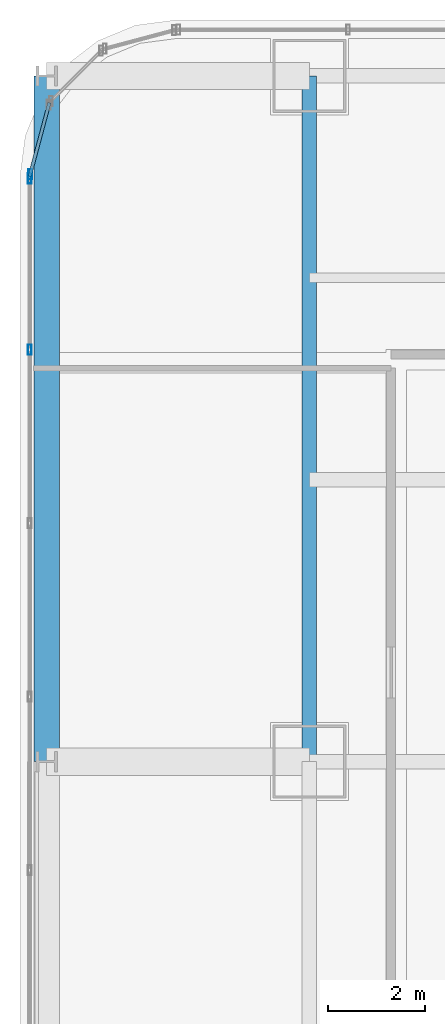
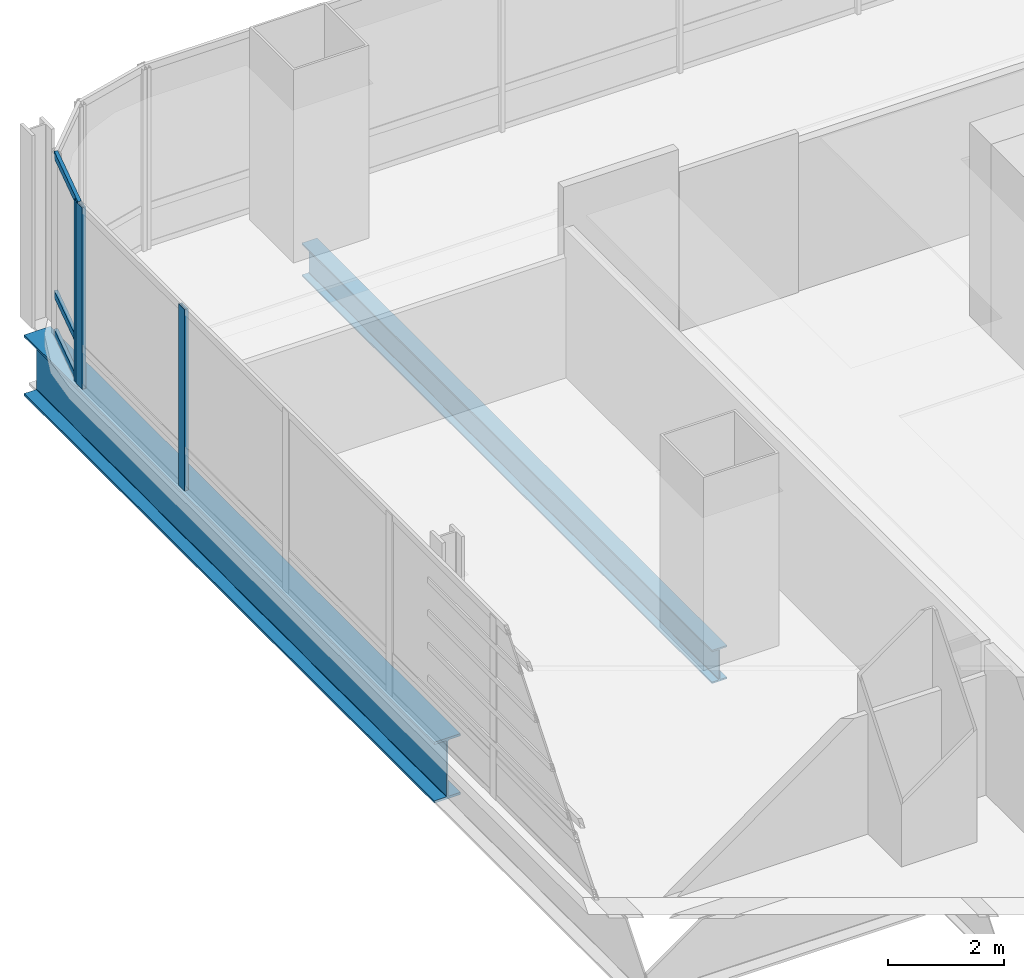
# One storey, part 18 of 36: 6 members, 2 beams, 2 elements without a shape of their own.
"""IFC4 building model written with IfcOpenShell, lengths in metres."""

from ifc_helpers import new_model, si_unit, direction, frame, origin, origin_2d, place, context, subcontext, project, spatial, hollow_rectangle, i_section, extrude, material, material_profile, profile_set, type_object, element, aggregate, save


model = new_model("IFC4")

# Units and contexts
model_context = context("Model", 3, precision=1e-05, world=origin(), true_north=direction((0.0, 1.0)))
body_context = subcontext(model_context, "Body", "Model", "MODEL_VIEW")
ifc_project = project(units=[si_unit("LENGTHUNIT", "METRE"), si_unit("AREAUNIT", "SQUARE_METRE"), si_unit("VOLUMEUNIT", "CUBIC_METRE"), si_unit("PLANEANGLEUNIT", "RADIAN"), si_unit("MASSUNIT", "GRAM", prefix="KILO")], contexts=[model_context])

# Site, building, storey
site_placement = place(None, origin())
site = spatial("IfcSite", under=ifc_project, at=site_placement, CompositionType="ELEMENT")
building_placement = place(site_placement, origin())
building = spatial("IfcBuilding", under=site, at=building_placement, Name="Punatoya Terracotta Tower", CompositionType="ELEMENT")
storey_placement = place(building_placement, frame((0.0, 0.0, 32.25)))
storey = spatial("IfcBuildingStorey", under=building, at=storey_placement, Name="L06", CompositionType="ELEMENT", Elevation=32.25)

# Beams
ifc_material_1 = material(Name="Steel S355", Category="steel")
ifc_material_profile_1 = material_profile(ifc_material_1, i_section(OverallWidth=0.300048828125, OverallDepth=0.699951171875, WebThickness=0.01708984375, FlangeThickness=0.031982421875, FilletRadius=0.01806640625, at=origin_2d()))
ifc_profile_set_1 = profile_set([ifc_material_profile_1], Name="Steel S355")
beam_type_1 = type_object("IfcBeamType", Name="BM-PRI-700", PredefinedType="BEAM", material=ifc_profile_set_1)
beam_1_placement = place(storey_placement, frame((-19.10009765625, 3.39990234375, -0.590087890625), z_axis=(0.0, 1.0, 0.0), x_axis=(-1.0, 0.0, 0.0)))
element("IfcBeam", 1, at=beam_1_placement, inside=storey, type_object=beam_type_1, Name="BM-L06-RG-W3", PredefinedType="BEAM", context=body_context, shape_type="SweptSolid", body=[
    extrude(i_section(OverallWidth=0.300048828125, OverallDepth=0.699951171875, WebThickness=0.01708984375, FlangeThickness=0.031982421875, FilletRadius=0.01806640625, at=origin_2d()), origin(), (0.0, 0.0, 1.0), 14.10009765625),
])
ifc_material_2 = material(Name="Steel S460", Category="steel")
ifc_material_profile_2 = material_profile(ifc_material_2, i_section(OverallWidth=0.52001953125, OverallDepth=1.280029296875, WebThickness=0.031982421875, FlangeThickness=0.050048828125, FilletRadius=0.01806640625, at=origin_2d()))
ifc_profile_set_2 = profile_set([ifc_material_profile_2], Name="Steel S460")
beam_type_2 = type_object("IfcBeamType", Name="BM-TG-NCK", PredefinedType="BEAM", material=ifc_profile_set_2)
beam_2_placement = place(storey_placement, frame((-24.5, 3.39990234375, -0.8798828125), z_axis=(0.0, 1.0, 0.0), x_axis=(-1.0, 0.0, 0.0)))
element("IfcBeam", 2, at=beam_2_placement, inside=storey, type_object=beam_type_2, Name="BM-L06-PER-W3", PredefinedType="BEAM", context=body_context, shape_type="SweptSolid", body=[
    extrude(i_section(OverallWidth=0.52001953125, OverallDepth=1.280029296875, WebThickness=0.031982421875, FlangeThickness=0.050048828125, FilletRadius=0.01806640625, at=origin_2d()), origin(), (0.0, 0.0, 1.0), 14.10009765625),
])

# Curtain wall, member
ifc_material_3 = material(Name="Aluminium 6063-T6 + Double Low-E Glass", Category="aluminium")
curtain_wall_type = type_object("IfcCurtainWallType", Name="CW-M1", PredefinedType="NOTDEFINED", material=ifc_material_3)
curtain_wall_1_placement = place(storey_placement, origin())
curtain_wall_1 = element("IfcCurtainWall", 3, at=curtain_wall_1_placement, inside=storey, type_object=curtain_wall_type, Name="L06 Curtain Wall CW-L06-CRN12", PredefinedType="NOTDEFINED")
ifc_material_4 = material(Name="Aluminium 6063-T6", Category="aluminium")
ifc_material_profile_3 = material_profile(ifc_material_4, hollow_rectangle(XDim=0.074951171875, YDim=0.2099609375, WallThickness=0.00439453125, at=origin_2d()))
ifc_profile_set_3 = profile_set([ifc_material_profile_3], Name="Aluminium 6063-T6")
member_type_1 = type_object("IfcMemberType", Name="CW-MUL-M1", PredefinedType="MULLION", material=ifc_profile_set_3)
member_1_placement = place(storey_placement, frame((-24.83837890625, 15.48046875, 0.0), z_axis=(0.0, 0.0, 1.0), x_axis=(1.0, 0.0, 0.0)))
member_1 = element("IfcMember", 4, at=member_1_placement, type_object=member_type_1, Name="CW-L06-CRN12 Mullion 01", PredefinedType="MULLION", context=body_context, shape_type="SweptSolid", body=[
    extrude(hollow_rectangle(XDim=0.074951171875, YDim=0.2099609375, WallThickness=0.00439453125, at=origin_2d()), origin(), (0.0, 0.0, 1.0), 3.81005859375),
])

# Curtain wall, members
curtain_wall_2_placement = place(storey_placement, origin())
curtain_wall_2 = element("IfcCurtainWall", 5, at=curtain_wall_2_placement, inside=storey, type_object=curtain_wall_type, Name="L06 Curtain Wall CW-L06-W13-1", PredefinedType="NOTDEFINED")
member_2_placement = place(storey_placement, frame((-24.85009765625, 15.391845703125, 0.0), z_axis=(0.0, 0.0, 1.0), x_axis=(1.0, 0.0, 0.0)))
member_2 = element("IfcMember", 6, at=member_2_placement, type_object=member_type_1, Name="CW-L06-W13-1 Mullion 00", PredefinedType="MULLION", context=body_context, shape_type="SweptSolid", body=[
    extrude(hollow_rectangle(XDim=0.074951171875, YDim=0.2099609375, WallThickness=0.00439453125, at=origin_2d()), origin(), (0.0, 0.0, 1.0), 3.81005859375),
])
member_3_placement = place(storey_placement, frame((-24.85009765625, 11.869384765625, 0.0), z_axis=(0.0, 0.0, 1.0), x_axis=(1.0, 0.0, 0.0)))
member_3 = element("IfcMember", 7, at=member_3_placement, type_object=member_type_1, Name="CW-L06-W13-1 Mullion 01", PredefinedType="MULLION", context=body_context, shape_type="SweptSolid", body=[
    extrude(hollow_rectangle(XDim=0.074951171875, YDim=0.2099609375, WallThickness=0.00439453125, at=origin_2d()), origin(), (0.0, 0.0, 1.0), 3.81005859375),
])
aggregate(curtain_wall_2, [member_2, member_3])

# Member
ifc_material_profile_4 = material_profile(ifc_material_4, hollow_rectangle(XDim=0.068115234375, YDim=0.14990234375, WallThickness=0.00390625, at=origin_2d()))
ifc_profile_set_4 = profile_set([ifc_material_profile_4], Name="Aluminium 6063-T6")
member_type_2 = type_object("IfcMemberType", Name="CW-TRN-TYP", PredefinedType="USERDEFINED", material=ifc_profile_set_4)
member_4_placement = place(storey_placement, frame((-24.446533203125, 16.94921875, 0.0400390625), z_axis=(-0.257847112249, -0.966185730957, 0.0), x_axis=(0.966185730957, -0.257847112249, 0.0)))
member_4 = element("IfcMember", 8, at=member_4_placement, type_object=member_type_2, Name="CW-L06-CRN12 Transom 1", ObjectType="TRANSOM", PredefinedType="USERDEFINED", context=body_context, shape_type="SweptSolid", body=[
    extrude(hollow_rectangle(XDim=0.068115234375, YDim=0.14990234375, WallThickness=0.00390625, at=origin_2d()), origin(), (0.0, 0.0, 1.0), 1.565185546875),
])

member_5_placement = place(storey_placement, frame((-24.446533203125, 16.94921875, 0.85009765625), z_axis=(-0.257847112249, -0.966185730957, 0.0), x_axis=(0.966185730957, -0.257847112249, 0.0)))
member_5 = element("IfcMember", 9, at=member_5_placement, type_object=member_type_2, Name="CW-L06-CRN12 Transom 2", ObjectType="TRANSOM", PredefinedType="USERDEFINED", context=body_context, shape_type="SweptSolid", body=[
    extrude(hollow_rectangle(XDim=0.068115234375, YDim=0.14990234375, WallThickness=0.00390625, at=origin_2d()), origin(), (0.0, 0.0, 1.0), 1.565185546875),
])

member_6_placement = place(storey_placement, frame((-24.446533203125, 16.94921875, 3.77001953125), z_axis=(-0.257847112249, -0.966185730957, 0.0), x_axis=(0.966185730957, -0.257847112249, 0.0)))
member_6 = element("IfcMember", 10, at=member_6_placement, type_object=member_type_2, Name="CW-L06-CRN12 Transom 3", ObjectType="TRANSOM", PredefinedType="USERDEFINED", context=body_context, shape_type="SweptSolid", body=[
    extrude(hollow_rectangle(XDim=0.068115234375, YDim=0.14990234375, WallThickness=0.00390625, at=origin_2d()), origin(), (0.0, 0.0, 1.0), 1.565185546875),
])

aggregate(curtain_wall_1, [member_1, member_4, member_5, member_6])

save(model, "model.ifc")
